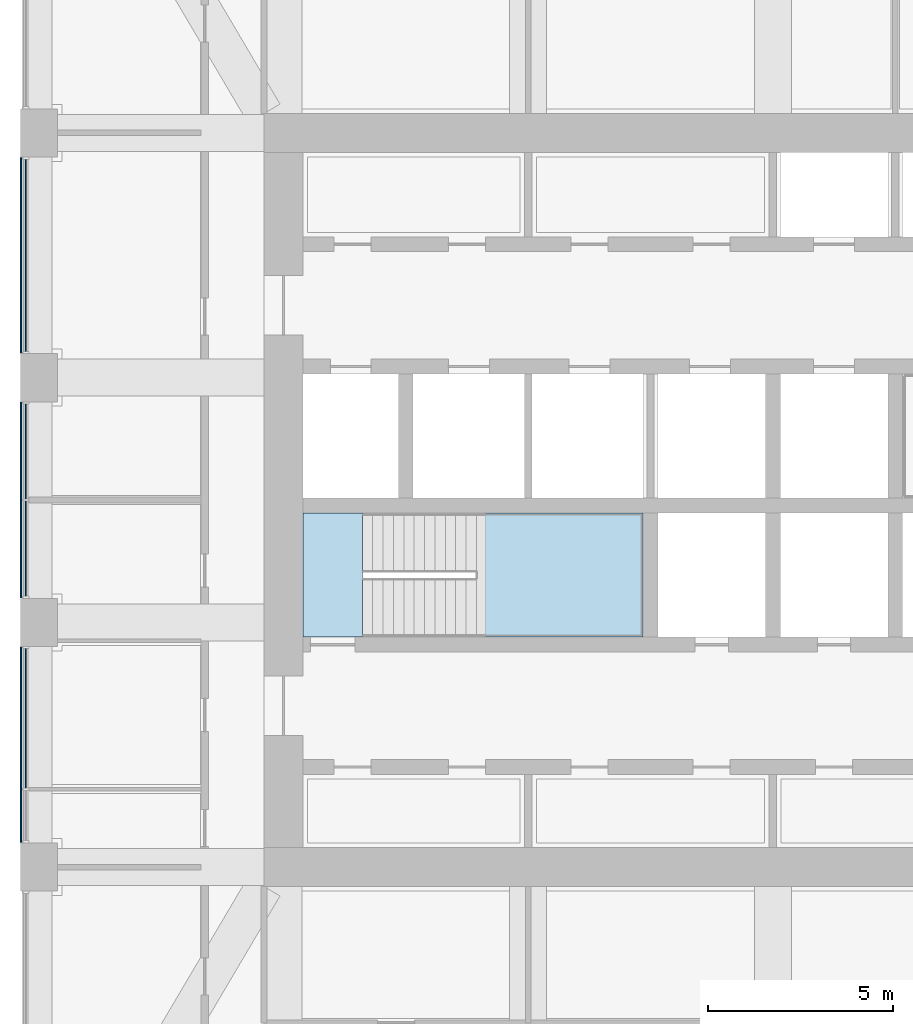
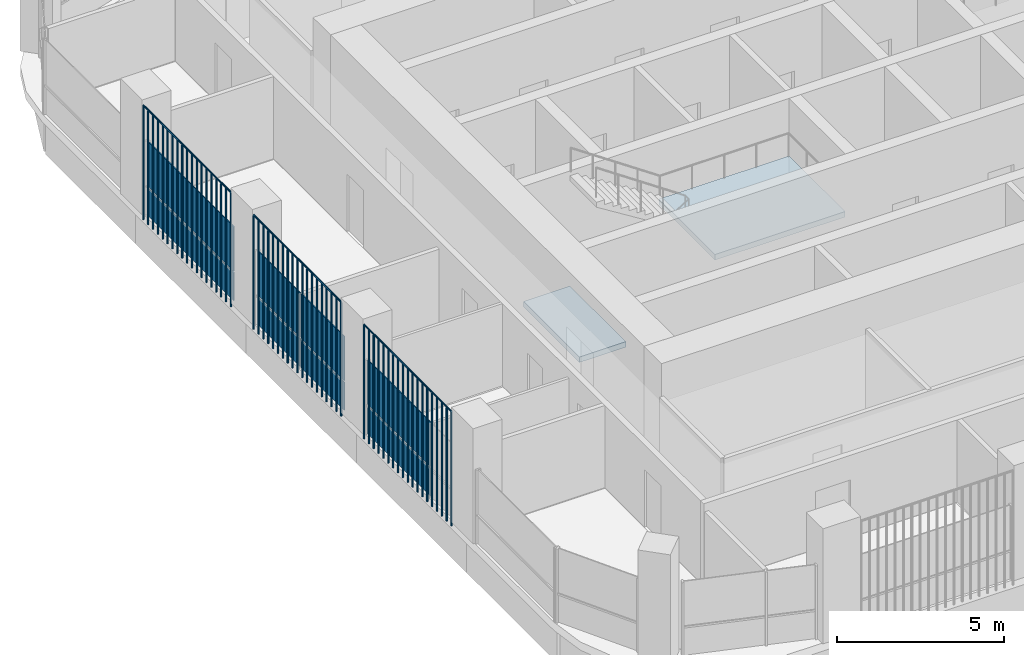
# One storey, part 9 of 21: 11 plates, 2 slabs, 4 elements without a shape of their own.
"""IFC4 building model written with IfcOpenShell, lengths in metres."""

from ifc_helpers import new_model, si_unit, direction, frame, origin, origin_2d, place, context, subcontext, project, spatial, polyline, rectangle, outline, extrude, material, layer, layer_set, type_object, element, aggregate, save


model = new_model("IFC4")

# Units and contexts
model_context = context("Model", 3, precision=1e-05, world=origin(), true_north=direction((0.0, 1.0)))
body_context = subcontext(model_context, "Body", "Model", "MODEL_VIEW")
ifc_project = project(units=[si_unit("LENGTHUNIT", "METRE"), si_unit("AREAUNIT", "SQUARE_METRE"), si_unit("VOLUMEUNIT", "CUBIC_METRE"), si_unit("PLANEANGLEUNIT", "RADIAN"), si_unit("MASSUNIT", "GRAM", prefix="KILO")], contexts=[model_context])

# Site, building, storey
site_placement = place(None, origin())
site = spatial("IfcSite", under=ifc_project, at=site_placement, CompositionType="ELEMENT")
building_placement = place(site_placement, origin())
building = spatial("IfcBuilding", under=site, at=building_placement, Name="Cobogo Forest Laboratory Tower", CompositionType="ELEMENT")
storey_placement = place(building_placement, frame((0.0, 0.0, 241.800048828125)))
storey = spatial("IfcBuildingStorey", under=building, at=storey_placement, Name="L55", CompositionType="ELEMENT", Elevation=241.800048828125)

# Curtain wall, plates
ifc_material_1 = material(Name="Aluminium curtain wall", Category="aluminium")
curtain_wall_type = type_object("IfcCurtainWallType", Name="CW-2 unitised curtain wall, solar control glazing, laboratory floors zones C and D", PredefinedType="USERDEFINED", material=ifc_material_1)
curtain_wall_1_placement = place(storey_placement, origin())
curtain_wall_1 = element("IfcCurtainWall", 1, at=curtain_wall_1_placement, inside=storey, type_object=curtain_wall_type, Name="Curtain wall 21 L55", ObjectType="UNITISED CURTAIN WALL", PredefinedType="USERDEFINED")
ifc_material_2 = material(Name="Solar control insulated glass", Category="glass")
ifc_layer_1 = layer(ifc_material_2, 0.031982421875)
ifc_layer_set_1 = layer_set([ifc_layer_1], Name="GP-2 solar control glass unit 32")
plate_type_1 = type_object("IfcPlateType", Name="GP-2 solar control glass unit 32", PredefinedType="CURTAIN_PANEL", material=ifc_layer_set_1)
plate_1_placement = place(storey_placement, frame((6.25, 29.699951171875, 0.0), z_axis=(0.0, 0.0, 1.0), x_axis=(0.0, -1.0, 0.0)))
plate_1 = element("IfcPlate", 2, at=plate_1_placement, type_object=plate_type_1, Name="CW-2 panel 1.1", PredefinedType="CURTAIN_PANEL", context=body_context, shape_type="SweptSolid", body=[
    extrude(rectangle(XDim=5.179931640625, YDim=0.031982421875, at=origin_2d()), origin(), (0.0, 0.0, 1.0), 1.02001953125),
])
plate_2_placement = place(storey_placement, frame((6.25, 29.699951171875, 1.079833984375), z_axis=(0.0, 0.0, 1.0), x_axis=(0.0, -1.0, 0.0)))
plate_2 = element("IfcPlate", 3, at=plate_2_placement, type_object=plate_type_1, Name="CW-2 panel 1.2", PredefinedType="CURTAIN_PANEL", context=body_context, shape_type="SweptSolid", body=[
    extrude(rectangle(XDim=5.179931640625, YDim=0.031982421875, at=origin_2d()), origin(), (0.0, 0.0, 1.0), 1.6201171875),
])
aggregate(curtain_wall_1, [plate_1, plate_2])

curtain_wall_2_placement = place(storey_placement, origin())
curtain_wall_2 = element("IfcCurtainWall", 4, at=curtain_wall_2_placement, inside=storey, type_object=curtain_wall_type, Name="Curtain wall 22 L55", ObjectType="UNITISED CURTAIN WALL", PredefinedType="USERDEFINED")
plate_3_placement = place(storey_placement, frame((6.25, 24.409912109375, 0.0), z_axis=(0.0, 0.0, 1.0), x_axis=(0.0, -1.0, 0.0)))
plate_3 = element("IfcPlate", 5, at=plate_3_placement, type_object=plate_type_1, Name="CW-2 panel 1.1", PredefinedType="CURTAIN_PANEL", context=body_context, shape_type="SweptSolid", body=[
    extrude(rectangle(XDim=2.56005859375, YDim=0.031982421875, at=origin_2d()), origin(), (0.0, 0.0, 1.0), 1.02001953125),
])
plate_4_placement = place(storey_placement, frame((6.25, 24.409912109375, 1.079833984375), z_axis=(0.0, 0.0, 1.0), x_axis=(0.0, -1.0, 0.0)))
plate_4 = element("IfcPlate", 6, at=plate_4_placement, type_object=plate_type_1, Name="CW-2 panel 1.2", PredefinedType="CURTAIN_PANEL", context=body_context, shape_type="SweptSolid", body=[
    extrude(rectangle(XDim=2.56005859375, YDim=0.031982421875, at=origin_2d()), origin(), (0.0, 0.0, 1.0), 1.6201171875),
])
plate_5_placement = place(storey_placement, frame((6.25, 21.7900390625, 0.0), z_axis=(0.0, 0.0, 1.0), x_axis=(0.0, -1.0, 0.0)))
plate_5 = element("IfcPlate", 7, at=plate_5_placement, type_object=plate_type_1, Name="CW-2 panel 2.1", PredefinedType="CURTAIN_PANEL", context=body_context, shape_type="SweptSolid", body=[
    extrude(rectangle(XDim=2.56005859375, YDim=0.031982421875, at=origin_2d()), origin(), (0.0, 0.0, 1.0), 1.02001953125),
])
plate_6_placement = place(storey_placement, frame((6.25, 21.7900390625, 1.079833984375), z_axis=(0.0, 0.0, 1.0), x_axis=(0.0, -1.0, 0.0)))
plate_6 = element("IfcPlate", 8, at=plate_6_placement, type_object=plate_type_1, Name="CW-2 panel 2.2", PredefinedType="CURTAIN_PANEL", context=body_context, shape_type="SweptSolid", body=[
    extrude(rectangle(XDim=2.56005859375, YDim=0.031982421875, at=origin_2d()), origin(), (0.0, 0.0, 1.0), 1.6201171875),
])
aggregate(curtain_wall_2, [plate_3, plate_4, plate_5, plate_6])

curtain_wall_3_placement = place(storey_placement, origin())
curtain_wall_3 = element("IfcCurtainWall", 9, at=curtain_wall_3_placement, inside=storey, type_object=curtain_wall_type, Name="Curtain wall 23 L55", ObjectType="UNITISED CURTAIN WALL", PredefinedType="USERDEFINED")
plate_7_placement = place(storey_placement, frame((6.25, 17.2099609375, 0.0), z_axis=(0.0, 0.0, 1.0), x_axis=(0.0, -1.0, 0.0)))
plate_7 = element("IfcPlate", 10, at=plate_7_placement, type_object=plate_type_1, Name="CW-2 panel 1.1", PredefinedType="CURTAIN_PANEL", context=body_context, shape_type="SweptSolid", body=[
    extrude(rectangle(XDim=3.760009765625, YDim=0.031982421875, at=origin_2d()), origin(), (0.0, 0.0, 1.0), 1.02001953125),
])
plate_8_placement = place(storey_placement, frame((6.25, 17.2099609375, 1.079833984375), z_axis=(0.0, 0.0, 1.0), x_axis=(0.0, -1.0, 0.0)))
plate_8 = element("IfcPlate", 11, at=plate_8_placement, type_object=plate_type_1, Name="CW-2 panel 1.2", PredefinedType="CURTAIN_PANEL", context=body_context, shape_type="SweptSolid", body=[
    extrude(rectangle(XDim=3.760009765625, YDim=0.031982421875, at=origin_2d()), origin(), (0.0, 0.0, 1.0), 1.6201171875),
])
aggregate(curtain_wall_3, [plate_7, plate_8])

# Stair, slabs
ifc_material_3 = material(Name="Precast concrete HA-40 (C40/50)", Category="concrete")
stair_type = type_object("IfcStairType", Name="ST24 exit stair 24 risers", PredefinedType="HALF_TURN_STAIR", material=ifc_material_3)
stair_placement = place(storey_placement, origin())
stair = element("IfcStair", 12, at=stair_placement, inside=storey, type_object=stair_type, Name="Stair 1 L55 to L56", PredefinedType="HALF_TURN_STAIR")
ifc_material_4 = material(Name="Concrete HA-40 (C40/50)", Category="concrete")
ifc_layer_2 = layer(ifc_material_4, 0.199951171875)
ifc_layer_set_2 = layer_set([ifc_layer_2], Name="SL stair landing 200")
slab_type = type_object("IfcSlabType", Name="SL stair landing 200", PredefinedType="LANDING", material=ifc_layer_set_2)
slab_1_placement = place(storey_placement, frame((0.0, 0.0, -0.199951171875)))
slab_1 = element("IfcSlab", 13, at=slab_1_placement, type_object=slab_type, Name="ST1 landing 1", PredefinedType="LANDING", context=body_context, shape_type="SweptSolid", body=[
    extrude(outline(polyline([(13.72509765625, 19.39990234375), (15.326904296875, 19.39990234375), (15.326904296875, 22.75), (13.72509765625, 22.75), (13.72509765625, 19.39990234375)])), origin(), (0.0, 0.0, 1.0), 0.199951171875),
])
slab_2_placement = place(storey_placement, frame((0.0, 0.0, 1.89990234375)))
slab_2 = element("IfcSlab", 14, at=slab_2_placement, type_object=slab_type, Name="ST1 landing 2", PredefinedType="LANDING", context=body_context, shape_type="SweptSolid", body=[
    extrude(outline(polyline([(18.403076171875, 19.39990234375), (22.89990234375, 19.39990234375), (22.89990234375, 22.75), (18.403076171875, 22.75), (18.403076171875, 19.39990234375)])), origin(), (0.0, 0.0, 1.0), 0.199951171875),
])
aggregate(stair, [slab_1, slab_2])

# Plates
ifc_material_5 = material(Name="Terracotta", Category="masonry")
plate_type_2 = type_object("IfcPlateType", Name="TB1 terracotta baguette screen", PredefinedType="USERDEFINED", material=ifc_material_5)
plate_9_placement = place(storey_placement, frame((6.1220703125, 13.88134765625, -0.150146484375)))
element("IfcPlate", 15, at=plate_9_placement, inside=storey, type_object=plate_type_2, Name="Baguette screen W1 L55", ObjectType="BAGUETTE SCREEN", PredefinedType="USERDEFINED", context=body_context, shape_type="SweptSolid", body=[
    extrude(outline(polyline([(0.02880859375, 0.011962890625), (0.011962890625, 0.02880859375), (-0.011962890625, 0.02880859375), (-0.02880859375, 0.011962890625), (-0.02880859375, -0.011962890625), (-0.011962890625, -0.02880859375), (0.011962890625, -0.02880859375), (0.02880859375, -0.011962890625), (0.02880859375, 0.011962890625)])), frame((0.0, 0.0, 4.168701171875), z_axis=(0.0, 1.0, 0.0), x_axis=(-1.0, 0.0, 0.0)), (0.0, 0.0, 1.0), 5.2373046875),
    extrude(outline(polyline([(0.02880859375, 0.011962890625), (0.011962890625, 0.02880859375), (-0.011962890625, 0.02880859375), (-0.02880859375, 0.011962890625), (-0.02880859375, -0.011962890625), (-0.011962890625, -0.02880859375), (0.011962890625, -0.02880859375), (0.02880859375, -0.011962890625), (0.02880859375, 0.011962890625)])), origin(), (0.0, 0.0, 1.0), 4.137451171875),
    extrude(outline(polyline([(0.02880859375, 0.011962890625), (0.011962890625, 0.02880859375), (-0.011962890625, 0.02880859375), (-0.02880859375, 0.011962890625), (-0.02880859375, -0.011962890625), (-0.011962890625, -0.02880859375), (0.011962890625, -0.02880859375), (0.02880859375, -0.011962890625), (0.02880859375, 0.011962890625)])), frame((0.0, 0.291015625, 0.0)), (0.0, 0.0, 1.0), 4.137451171875),
    extrude(outline(polyline([(0.02880859375, 0.011962890625), (0.011962890625, 0.02880859375), (-0.011962890625, 0.02880859375), (-0.02880859375, 0.011962890625), (-0.02880859375, -0.011962890625), (-0.011962890625, -0.02880859375), (0.011962890625, -0.02880859375), (0.02880859375, -0.011962890625), (0.02880859375, 0.011962890625)])), frame((0.0, 0.58203125, 0.0)), (0.0, 0.0, 1.0), 4.137451171875),
    extrude(outline(polyline([(0.02880859375, 0.011962890625), (0.011962890625, 0.02880859375), (-0.011962890625, 0.02880859375), (-0.02880859375, 0.011962890625), (-0.02880859375, -0.011962890625), (-0.011962890625, -0.02880859375), (0.011962890625, -0.02880859375), (0.02880859375, -0.011962890625), (0.02880859375, 0.011962890625)])), frame((0.0, 0.872802734375, 0.0)), (0.0, 0.0, 1.0), 4.137451171875),
    extrude(outline(polyline([(0.02880859375, 0.011962890625), (0.011962890625, 0.02880859375), (-0.011962890625, 0.02880859375), (-0.02880859375, 0.011962890625), (-0.02880859375, -0.011962890625), (-0.011962890625, -0.02880859375), (0.011962890625, -0.02880859375), (0.02880859375, -0.011962890625), (0.02880859375, 0.011962890625)])), frame((0.0, 1.163818359375, 0.0)), (0.0, 0.0, 1.0), 4.137451171875),
    extrude(outline(polyline([(0.02880859375, 0.011962890625), (0.011962890625, 0.02880859375), (-0.011962890625, 0.02880859375), (-0.02880859375, 0.011962890625), (-0.02880859375, -0.011962890625), (-0.011962890625, -0.02880859375), (0.011962890625, -0.02880859375), (0.02880859375, -0.011962890625), (0.02880859375, 0.011962890625)])), frame((0.0, 1.454833984375, 0.0)), (0.0, 0.0, 1.0), 4.137451171875),
    extrude(outline(polyline([(0.02880859375, 0.011962890625), (0.011962890625, 0.02880859375), (-0.011962890625, 0.02880859375), (-0.02880859375, 0.011962890625), (-0.02880859375, -0.011962890625), (-0.011962890625, -0.02880859375), (0.011962890625, -0.02880859375), (0.02880859375, -0.011962890625), (0.02880859375, 0.011962890625)])), frame((0.0, 1.745849609375, 0.0)), (0.0, 0.0, 1.0), 4.137451171875),
    extrude(outline(polyline([(0.02880859375, 0.011962890625), (0.011962890625, 0.02880859375), (-0.011962890625, 0.02880859375), (-0.02880859375, 0.011962890625), (-0.02880859375, -0.011962890625), (-0.011962890625, -0.02880859375), (0.011962890625, -0.02880859375), (0.02880859375, -0.011962890625), (0.02880859375, 0.011962890625)])), frame((0.0, 2.03662109375, 0.0)), (0.0, 0.0, 1.0), 4.137451171875),
    extrude(outline(polyline([(0.02880859375, 0.011962890625), (0.011962890625, 0.02880859375), (-0.011962890625, 0.02880859375), (-0.02880859375, 0.011962890625), (-0.02880859375, -0.011962890625), (-0.011962890625, -0.02880859375), (0.011962890625, -0.02880859375), (0.02880859375, -0.011962890625), (0.02880859375, 0.011962890625)])), frame((0.0, 2.32763671875, 0.0)), (0.0, 0.0, 1.0), 4.137451171875),
    extrude(outline(polyline([(0.02880859375, 0.011962890625), (0.011962890625, 0.02880859375), (-0.011962890625, 0.02880859375), (-0.02880859375, 0.011962890625), (-0.02880859375, -0.011962890625), (-0.011962890625, -0.02880859375), (0.011962890625, -0.02880859375), (0.02880859375, -0.011962890625), (0.02880859375, 0.011962890625)])), frame((0.0, 2.61865234375, 0.0)), (0.0, 0.0, 1.0), 4.137451171875),
    extrude(outline(polyline([(0.02880859375, 0.011962890625), (0.011962890625, 0.02880859375), (-0.011962890625, 0.02880859375), (-0.02880859375, 0.011962890625), (-0.02880859375, -0.011962890625), (-0.011962890625, -0.02880859375), (0.011962890625, -0.02880859375), (0.02880859375, -0.011962890625), (0.02880859375, 0.011962890625)])), frame((0.0, 2.90966796875, 0.0)), (0.0, 0.0, 1.0), 4.137451171875),
    extrude(outline(polyline([(0.02880859375, 0.011962890625), (0.011962890625, 0.02880859375), (-0.011962890625, 0.02880859375), (-0.02880859375, 0.011962890625), (-0.02880859375, -0.011962890625), (-0.011962890625, -0.02880859375), (0.011962890625, -0.02880859375), (0.02880859375, -0.011962890625), (0.02880859375, 0.011962890625)])), frame((0.0, 3.20068359375, 0.0)), (0.0, 0.0, 1.0), 4.137451171875),
    extrude(outline(polyline([(0.02880859375, 0.011962890625), (0.011962890625, 0.02880859375), (-0.011962890625, 0.02880859375), (-0.02880859375, 0.011962890625), (-0.02880859375, -0.011962890625), (-0.011962890625, -0.02880859375), (0.011962890625, -0.02880859375), (0.02880859375, -0.011962890625), (0.02880859375, 0.011962890625)])), frame((0.0, 3.491455078125, 0.0)), (0.0, 0.0, 1.0), 4.137451171875),
    extrude(outline(polyline([(0.02880859375, 0.011962890625), (0.011962890625, 0.02880859375), (-0.011962890625, 0.02880859375), (-0.02880859375, 0.011962890625), (-0.02880859375, -0.011962890625), (-0.011962890625, -0.02880859375), (0.011962890625, -0.02880859375), (0.02880859375, -0.011962890625), (0.02880859375, 0.011962890625)])), frame((0.0, 3.782470703125, 0.0)), (0.0, 0.0, 1.0), 4.137451171875),
    extrude(outline(polyline([(0.02880859375, 0.011962890625), (0.011962890625, 0.02880859375), (-0.011962890625, 0.02880859375), (-0.02880859375, 0.011962890625), (-0.02880859375, -0.011962890625), (-0.011962890625, -0.02880859375), (0.011962890625, -0.02880859375), (0.02880859375, -0.011962890625), (0.02880859375, 0.011962890625)])), frame((0.0, 4.073486328125, 0.0)), (0.0, 0.0, 1.0), 4.137451171875),
    extrude(outline(polyline([(0.02880859375, 0.011962890625), (0.011962890625, 0.02880859375), (-0.011962890625, 0.02880859375), (-0.02880859375, 0.011962890625), (-0.02880859375, -0.011962890625), (-0.011962890625, -0.02880859375), (0.011962890625, -0.02880859375), (0.02880859375, -0.011962890625), (0.02880859375, 0.011962890625)])), frame((0.0, 4.364501953125, 0.0)), (0.0, 0.0, 1.0), 4.137451171875),
    extrude(outline(polyline([(0.02880859375, 0.011962890625), (0.011962890625, 0.02880859375), (-0.011962890625, 0.02880859375), (-0.02880859375, 0.011962890625), (-0.02880859375, -0.011962890625), (-0.011962890625, -0.02880859375), (0.011962890625, -0.02880859375), (0.02880859375, -0.011962890625), (0.02880859375, 0.011962890625)])), frame((0.0, 4.6552734375, 0.0)), (0.0, 0.0, 1.0), 4.137451171875),
    extrude(outline(polyline([(0.02880859375, 0.011962890625), (0.011962890625, 0.02880859375), (-0.011962890625, 0.02880859375), (-0.02880859375, 0.011962890625), (-0.02880859375, -0.011962890625), (-0.011962890625, -0.02880859375), (0.011962890625, -0.02880859375), (0.02880859375, -0.011962890625), (0.02880859375, 0.011962890625)])), frame((0.0, 4.9462890625, 0.0)), (0.0, 0.0, 1.0), 4.137451171875),
    extrude(outline(polyline([(0.02880859375, 0.011962890625), (0.011962890625, 0.02880859375), (-0.011962890625, 0.02880859375), (-0.02880859375, 0.011962890625), (-0.02880859375, -0.011962890625), (-0.011962890625, -0.02880859375), (0.011962890625, -0.02880859375), (0.02880859375, -0.011962890625), (0.02880859375, 0.011962890625)])), frame((0.0, 5.2373046875, 0.0)), (0.0, 0.0, 1.0), 4.137451171875),
])
plate_10_placement = place(storey_placement, frame((6.1220703125, 20.481201171875, -0.150146484375)))
element("IfcPlate", 16, at=plate_10_placement, inside=storey, type_object=plate_type_2, Name="Baguette screen W2 L55", ObjectType="BAGUETTE SCREEN", PredefinedType="USERDEFINED", context=body_context, shape_type="SweptSolid", body=[
    extrude(outline(polyline([(0.02880859375, 0.011962890625), (0.011962890625, 0.02880859375), (-0.011962890625, 0.02880859375), (-0.02880859375, 0.011962890625), (-0.02880859375, -0.011962890625), (-0.011962890625, -0.02880859375), (0.011962890625, -0.02880859375), (0.02880859375, -0.011962890625), (0.02880859375, 0.011962890625)])), frame((0.0, 0.0, 4.168701171875), z_axis=(0.0, 1.0, 0.0), x_axis=(-1.0, 0.0, 0.0)), (0.0, 0.0, 1.0), 5.237548828125),
    extrude(outline(polyline([(0.02880859375, 0.011962890625), (0.011962890625, 0.02880859375), (-0.011962890625, 0.02880859375), (-0.02880859375, 0.011962890625), (-0.02880859375, -0.011962890625), (-0.011962890625, -0.02880859375), (0.011962890625, -0.02880859375), (0.02880859375, -0.011962890625), (0.02880859375, 0.011962890625)])), origin(), (0.0, 0.0, 1.0), 4.137451171875),
    extrude(outline(polyline([(0.02880859375, 0.011962890625), (0.011962890625, 0.02880859375), (-0.011962890625, 0.02880859375), (-0.02880859375, 0.011962890625), (-0.02880859375, -0.011962890625), (-0.011962890625, -0.02880859375), (0.011962890625, -0.02880859375), (0.02880859375, -0.011962890625), (0.02880859375, 0.011962890625)])), frame((0.0, 0.291015625, 0.0)), (0.0, 0.0, 1.0), 4.137451171875),
    extrude(outline(polyline([(0.02880859375, 0.011962890625), (0.011962890625, 0.02880859375), (-0.011962890625, 0.02880859375), (-0.02880859375, 0.011962890625), (-0.02880859375, -0.011962890625), (-0.011962890625, -0.02880859375), (0.011962890625, -0.02880859375), (0.02880859375, -0.011962890625), (0.02880859375, 0.011962890625)])), frame((0.0, 0.58203125, 0.0)), (0.0, 0.0, 1.0), 4.137451171875),
    extrude(outline(polyline([(0.02880859375, 0.011962890625), (0.011962890625, 0.02880859375), (-0.011962890625, 0.02880859375), (-0.02880859375, 0.011962890625), (-0.02880859375, -0.011962890625), (-0.011962890625, -0.02880859375), (0.011962890625, -0.02880859375), (0.02880859375, -0.011962890625), (0.02880859375, 0.011962890625)])), frame((0.0, 0.873046875, 0.0)), (0.0, 0.0, 1.0), 4.137451171875),
    extrude(outline(polyline([(0.02880859375, 0.011962890625), (0.011962890625, 0.02880859375), (-0.011962890625, 0.02880859375), (-0.02880859375, 0.011962890625), (-0.02880859375, -0.011962890625), (-0.011962890625, -0.02880859375), (0.011962890625, -0.02880859375), (0.02880859375, -0.011962890625), (0.02880859375, 0.011962890625)])), frame((0.0, 1.163818359375, 0.0)), (0.0, 0.0, 1.0), 4.137451171875),
    extrude(outline(polyline([(0.02880859375, 0.011962890625), (0.011962890625, 0.02880859375), (-0.011962890625, 0.02880859375), (-0.02880859375, 0.011962890625), (-0.02880859375, -0.011962890625), (-0.011962890625, -0.02880859375), (0.011962890625, -0.02880859375), (0.02880859375, -0.011962890625), (0.02880859375, 0.011962890625)])), frame((0.0, 1.454833984375, 0.0)), (0.0, 0.0, 1.0), 4.137451171875),
    extrude(outline(polyline([(0.02880859375, 0.011962890625), (0.011962890625, 0.02880859375), (-0.011962890625, 0.02880859375), (-0.02880859375, 0.011962890625), (-0.02880859375, -0.011962890625), (-0.011962890625, -0.02880859375), (0.011962890625, -0.02880859375), (0.02880859375, -0.011962890625), (0.02880859375, 0.011962890625)])), frame((0.0, 1.745849609375, 0.0)), (0.0, 0.0, 1.0), 4.137451171875),
    extrude(outline(polyline([(0.02880859375, 0.011962890625), (0.011962890625, 0.02880859375), (-0.011962890625, 0.02880859375), (-0.02880859375, 0.011962890625), (-0.02880859375, -0.011962890625), (-0.011962890625, -0.02880859375), (0.011962890625, -0.02880859375), (0.02880859375, -0.011962890625), (0.02880859375, 0.011962890625)])), frame((0.0, 2.036865234375, 0.0)), (0.0, 0.0, 1.0), 4.137451171875),
    extrude(outline(polyline([(0.02880859375, 0.011962890625), (0.011962890625, 0.02880859375), (-0.011962890625, 0.02880859375), (-0.02880859375, 0.011962890625), (-0.02880859375, -0.011962890625), (-0.011962890625, -0.02880859375), (0.011962890625, -0.02880859375), (0.02880859375, -0.011962890625), (0.02880859375, 0.011962890625)])), frame((0.0, 2.327880859375, 0.0)), (0.0, 0.0, 1.0), 4.137451171875),
    extrude(outline(polyline([(0.02880859375, 0.011962890625), (0.011962890625, 0.02880859375), (-0.011962890625, 0.02880859375), (-0.02880859375, 0.011962890625), (-0.02880859375, -0.011962890625), (-0.011962890625, -0.02880859375), (0.011962890625, -0.02880859375), (0.02880859375, -0.011962890625), (0.02880859375, 0.011962890625)])), frame((0.0, 2.61865234375, 0.0)), (0.0, 0.0, 1.0), 4.137451171875),
    extrude(outline(polyline([(0.02880859375, 0.011962890625), (0.011962890625, 0.02880859375), (-0.011962890625, 0.02880859375), (-0.02880859375, 0.011962890625), (-0.02880859375, -0.011962890625), (-0.011962890625, -0.02880859375), (0.011962890625, -0.02880859375), (0.02880859375, -0.011962890625), (0.02880859375, 0.011962890625)])), frame((0.0, 2.90966796875, 0.0)), (0.0, 0.0, 1.0), 4.137451171875),
    extrude(outline(polyline([(0.02880859375, 0.011962890625), (0.011962890625, 0.02880859375), (-0.011962890625, 0.02880859375), (-0.02880859375, 0.011962890625), (-0.02880859375, -0.011962890625), (-0.011962890625, -0.02880859375), (0.011962890625, -0.02880859375), (0.02880859375, -0.011962890625), (0.02880859375, 0.011962890625)])), frame((0.0, 3.20068359375, 0.0)), (0.0, 0.0, 1.0), 4.137451171875),
    extrude(outline(polyline([(0.02880859375, 0.011962890625), (0.011962890625, 0.02880859375), (-0.011962890625, 0.02880859375), (-0.02880859375, 0.011962890625), (-0.02880859375, -0.011962890625), (-0.011962890625, -0.02880859375), (0.011962890625, -0.02880859375), (0.02880859375, -0.011962890625), (0.02880859375, 0.011962890625)])), frame((0.0, 3.49169921875, 0.0)), (0.0, 0.0, 1.0), 4.137451171875),
    extrude(outline(polyline([(0.02880859375, 0.011962890625), (0.011962890625, 0.02880859375), (-0.011962890625, 0.02880859375), (-0.02880859375, 0.011962890625), (-0.02880859375, -0.011962890625), (-0.011962890625, -0.02880859375), (0.011962890625, -0.02880859375), (0.02880859375, -0.011962890625), (0.02880859375, 0.011962890625)])), frame((0.0, 3.78271484375, 0.0)), (0.0, 0.0, 1.0), 4.137451171875),
    extrude(outline(polyline([(0.02880859375, 0.011962890625), (0.011962890625, 0.02880859375), (-0.011962890625, 0.02880859375), (-0.02880859375, 0.011962890625), (-0.02880859375, -0.011962890625), (-0.011962890625, -0.02880859375), (0.011962890625, -0.02880859375), (0.02880859375, -0.011962890625), (0.02880859375, 0.011962890625)])), frame((0.0, 4.07373046875, 0.0)), (0.0, 0.0, 1.0), 4.137451171875),
    extrude(outline(polyline([(0.02880859375, 0.011962890625), (0.011962890625, 0.02880859375), (-0.011962890625, 0.02880859375), (-0.02880859375, 0.011962890625), (-0.02880859375, -0.011962890625), (-0.011962890625, -0.02880859375), (0.011962890625, -0.02880859375), (0.02880859375, -0.011962890625), (0.02880859375, 0.011962890625)])), frame((0.0, 4.36474609375, 0.0)), (0.0, 0.0, 1.0), 4.137451171875),
    extrude(outline(polyline([(0.02880859375, 0.011962890625), (0.011962890625, 0.02880859375), (-0.011962890625, 0.02880859375), (-0.02880859375, 0.011962890625), (-0.02880859375, -0.011962890625), (-0.011962890625, -0.02880859375), (0.011962890625, -0.02880859375), (0.02880859375, -0.011962890625), (0.02880859375, 0.011962890625)])), frame((0.0, 4.655517578125, 0.0)), (0.0, 0.0, 1.0), 4.137451171875),
    extrude(outline(polyline([(0.02880859375, 0.011962890625), (0.011962890625, 0.02880859375), (-0.011962890625, 0.02880859375), (-0.02880859375, 0.011962890625), (-0.02880859375, -0.011962890625), (-0.011962890625, -0.02880859375), (0.011962890625, -0.02880859375), (0.02880859375, -0.011962890625), (0.02880859375, 0.011962890625)])), frame((0.0, 4.946533203125, 0.0)), (0.0, 0.0, 1.0), 4.137451171875),
    extrude(outline(polyline([(0.02880859375, 0.011962890625), (0.011962890625, 0.02880859375), (-0.011962890625, 0.02880859375), (-0.02880859375, 0.011962890625), (-0.02880859375, -0.011962890625), (-0.011962890625, -0.02880859375), (0.011962890625, -0.02880859375), (0.02880859375, -0.011962890625), (0.02880859375, 0.011962890625)])), frame((0.0, 5.237548828125, 0.0)), (0.0, 0.0, 1.0), 4.137451171875),
])
plate_11_placement = place(storey_placement, frame((6.1220703125, 27.081298828125, -0.150146484375)))
element("IfcPlate", 17, at=plate_11_placement, inside=storey, type_object=plate_type_2, Name="Baguette screen W3 L55", ObjectType="BAGUETTE SCREEN", PredefinedType="USERDEFINED", context=body_context, shape_type="SweptSolid", body=[
    extrude(outline(polyline([(0.02880859375, 0.011962890625), (0.011962890625, 0.02880859375), (-0.011962890625, 0.02880859375), (-0.02880859375, 0.011962890625), (-0.02880859375, -0.011962890625), (-0.011962890625, -0.02880859375), (0.011962890625, -0.02880859375), (0.02880859375, -0.011962890625), (0.02880859375, 0.011962890625)])), frame((0.0, 0.0, 4.168701171875), z_axis=(0.0, 1.0, 0.0), x_axis=(-1.0, 0.0, 0.0)), (0.0, 0.0, 1.0), 5.237548828125),
    extrude(outline(polyline([(0.02880859375, 0.011962890625), (0.011962890625, 0.02880859375), (-0.011962890625, 0.02880859375), (-0.02880859375, 0.011962890625), (-0.02880859375, -0.011962890625), (-0.011962890625, -0.02880859375), (0.011962890625, -0.02880859375), (0.02880859375, -0.011962890625), (0.02880859375, 0.011962890625)])), origin(), (0.0, 0.0, 1.0), 4.137451171875),
    extrude(outline(polyline([(0.02880859375, 0.011962890625), (0.011962890625, 0.02880859375), (-0.011962890625, 0.02880859375), (-0.02880859375, 0.011962890625), (-0.02880859375, -0.011962890625), (-0.011962890625, -0.02880859375), (0.011962890625, -0.02880859375), (0.02880859375, -0.011962890625), (0.02880859375, 0.011962890625)])), frame((0.0, 0.291015625, 0.0)), (0.0, 0.0, 1.0), 4.137451171875),
    extrude(outline(polyline([(0.02880859375, 0.011962890625), (0.011962890625, 0.02880859375), (-0.011962890625, 0.02880859375), (-0.02880859375, 0.011962890625), (-0.02880859375, -0.011962890625), (-0.011962890625, -0.02880859375), (0.011962890625, -0.02880859375), (0.02880859375, -0.011962890625), (0.02880859375, 0.011962890625)])), frame((0.0, 0.58203125, 0.0)), (0.0, 0.0, 1.0), 4.137451171875),
    extrude(outline(polyline([(0.02880859375, 0.011962890625), (0.011962890625, 0.02880859375), (-0.011962890625, 0.02880859375), (-0.02880859375, 0.011962890625), (-0.02880859375, -0.011962890625), (-0.011962890625, -0.02880859375), (0.011962890625, -0.02880859375), (0.02880859375, -0.011962890625), (0.02880859375, 0.011962890625)])), frame((0.0, 0.873046875, 0.0)), (0.0, 0.0, 1.0), 4.137451171875),
    extrude(outline(polyline([(0.02880859375, 0.011962890625), (0.011962890625, 0.02880859375), (-0.011962890625, 0.02880859375), (-0.02880859375, 0.011962890625), (-0.02880859375, -0.011962890625), (-0.011962890625, -0.02880859375), (0.011962890625, -0.02880859375), (0.02880859375, -0.011962890625), (0.02880859375, 0.011962890625)])), frame((0.0, 1.163818359375, 0.0)), (0.0, 0.0, 1.0), 4.137451171875),
    extrude(outline(polyline([(0.02880859375, 0.011962890625), (0.011962890625, 0.02880859375), (-0.011962890625, 0.02880859375), (-0.02880859375, 0.011962890625), (-0.02880859375, -0.011962890625), (-0.011962890625, -0.02880859375), (0.011962890625, -0.02880859375), (0.02880859375, -0.011962890625), (0.02880859375, 0.011962890625)])), frame((0.0, 1.454833984375, 0.0)), (0.0, 0.0, 1.0), 4.137451171875),
    extrude(outline(polyline([(0.02880859375, 0.011962890625), (0.011962890625, 0.02880859375), (-0.011962890625, 0.02880859375), (-0.02880859375, 0.011962890625), (-0.02880859375, -0.011962890625), (-0.011962890625, -0.02880859375), (0.011962890625, -0.02880859375), (0.02880859375, -0.011962890625), (0.02880859375, 0.011962890625)])), frame((0.0, 1.745849609375, 0.0)), (0.0, 0.0, 1.0), 4.137451171875),
    extrude(outline(polyline([(0.02880859375, 0.011962890625), (0.011962890625, 0.02880859375), (-0.011962890625, 0.02880859375), (-0.02880859375, 0.011962890625), (-0.02880859375, -0.011962890625), (-0.011962890625, -0.02880859375), (0.011962890625, -0.02880859375), (0.02880859375, -0.011962890625), (0.02880859375, 0.011962890625)])), frame((0.0, 2.036865234375, 0.0)), (0.0, 0.0, 1.0), 4.137451171875),
    extrude(outline(polyline([(0.02880859375, 0.011962890625), (0.011962890625, 0.02880859375), (-0.011962890625, 0.02880859375), (-0.02880859375, 0.011962890625), (-0.02880859375, -0.011962890625), (-0.011962890625, -0.02880859375), (0.011962890625, -0.02880859375), (0.02880859375, -0.011962890625), (0.02880859375, 0.011962890625)])), frame((0.0, 2.327880859375, 0.0)), (0.0, 0.0, 1.0), 4.137451171875),
    extrude(outline(polyline([(0.02880859375, 0.011962890625), (0.011962890625, 0.02880859375), (-0.011962890625, 0.02880859375), (-0.02880859375, 0.011962890625), (-0.02880859375, -0.011962890625), (-0.011962890625, -0.02880859375), (0.011962890625, -0.02880859375), (0.02880859375, -0.011962890625), (0.02880859375, 0.011962890625)])), frame((0.0, 2.61865234375, 0.0)), (0.0, 0.0, 1.0), 4.137451171875),
    extrude(outline(polyline([(0.02880859375, 0.011962890625), (0.011962890625, 0.02880859375), (-0.011962890625, 0.02880859375), (-0.02880859375, 0.011962890625), (-0.02880859375, -0.011962890625), (-0.011962890625, -0.02880859375), (0.011962890625, -0.02880859375), (0.02880859375, -0.011962890625), (0.02880859375, 0.011962890625)])), frame((0.0, 2.90966796875, 0.0)), (0.0, 0.0, 1.0), 4.137451171875),
    extrude(outline(polyline([(0.02880859375, 0.011962890625), (0.011962890625, 0.02880859375), (-0.011962890625, 0.02880859375), (-0.02880859375, 0.011962890625), (-0.02880859375, -0.011962890625), (-0.011962890625, -0.02880859375), (0.011962890625, -0.02880859375), (0.02880859375, -0.011962890625), (0.02880859375, 0.011962890625)])), frame((0.0, 3.20068359375, 0.0)), (0.0, 0.0, 1.0), 4.137451171875),
    extrude(outline(polyline([(0.02880859375, 0.011962890625), (0.011962890625, 0.02880859375), (-0.011962890625, 0.02880859375), (-0.02880859375, 0.011962890625), (-0.02880859375, -0.011962890625), (-0.011962890625, -0.02880859375), (0.011962890625, -0.02880859375), (0.02880859375, -0.011962890625), (0.02880859375, 0.011962890625)])), frame((0.0, 3.49169921875, 0.0)), (0.0, 0.0, 1.0), 4.137451171875),
    extrude(outline(polyline([(0.02880859375, 0.011962890625), (0.011962890625, 0.02880859375), (-0.011962890625, 0.02880859375), (-0.02880859375, 0.011962890625), (-0.02880859375, -0.011962890625), (-0.011962890625, -0.02880859375), (0.011962890625, -0.02880859375), (0.02880859375, -0.011962890625), (0.02880859375, 0.011962890625)])), frame((0.0, 3.78271484375, 0.0)), (0.0, 0.0, 1.0), 4.137451171875),
    extrude(outline(polyline([(0.02880859375, 0.011962890625), (0.011962890625, 0.02880859375), (-0.011962890625, 0.02880859375), (-0.02880859375, 0.011962890625), (-0.02880859375, -0.011962890625), (-0.011962890625, -0.02880859375), (0.011962890625, -0.02880859375), (0.02880859375, -0.011962890625), (0.02880859375, 0.011962890625)])), frame((0.0, 4.07373046875, 0.0)), (0.0, 0.0, 1.0), 4.137451171875),
    extrude(outline(polyline([(0.02880859375, 0.011962890625), (0.011962890625, 0.02880859375), (-0.011962890625, 0.02880859375), (-0.02880859375, 0.011962890625), (-0.02880859375, -0.011962890625), (-0.011962890625, -0.02880859375), (0.011962890625, -0.02880859375), (0.02880859375, -0.011962890625), (0.02880859375, 0.011962890625)])), frame((0.0, 4.36474609375, 0.0)), (0.0, 0.0, 1.0), 4.137451171875),
    extrude(outline(polyline([(0.02880859375, 0.011962890625), (0.011962890625, 0.02880859375), (-0.011962890625, 0.02880859375), (-0.02880859375, 0.011962890625), (-0.02880859375, -0.011962890625), (-0.011962890625, -0.02880859375), (0.011962890625, -0.02880859375), (0.02880859375, -0.011962890625), (0.02880859375, 0.011962890625)])), frame((0.0, 4.655517578125, 0.0)), (0.0, 0.0, 1.0), 4.137451171875),
    extrude(outline(polyline([(0.02880859375, 0.011962890625), (0.011962890625, 0.02880859375), (-0.011962890625, 0.02880859375), (-0.02880859375, 0.011962890625), (-0.02880859375, -0.011962890625), (-0.011962890625, -0.02880859375), (0.011962890625, -0.02880859375), (0.02880859375, -0.011962890625), (0.02880859375, 0.011962890625)])), frame((0.0, 4.946533203125, 0.0)), (0.0, 0.0, 1.0), 4.137451171875),
    extrude(outline(polyline([(0.02880859375, 0.011962890625), (0.011962890625, 0.02880859375), (-0.011962890625, 0.02880859375), (-0.02880859375, 0.011962890625), (-0.02880859375, -0.011962890625), (-0.011962890625, -0.02880859375), (0.011962890625, -0.02880859375), (0.02880859375, -0.011962890625), (0.02880859375, 0.011962890625)])), frame((0.0, 5.237548828125, 0.0)), (0.0, 0.0, 1.0), 4.137451171875),
])

save(model, "model.ifc")
